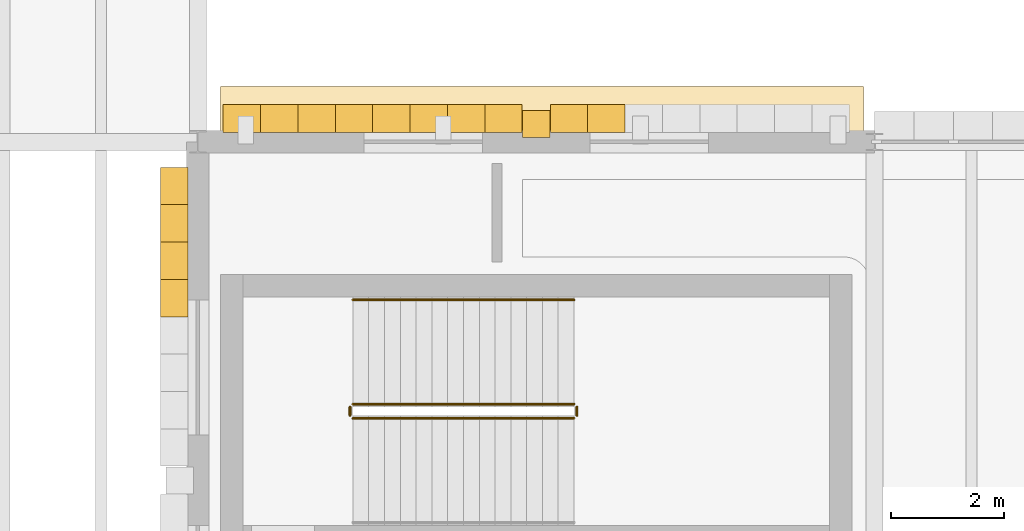
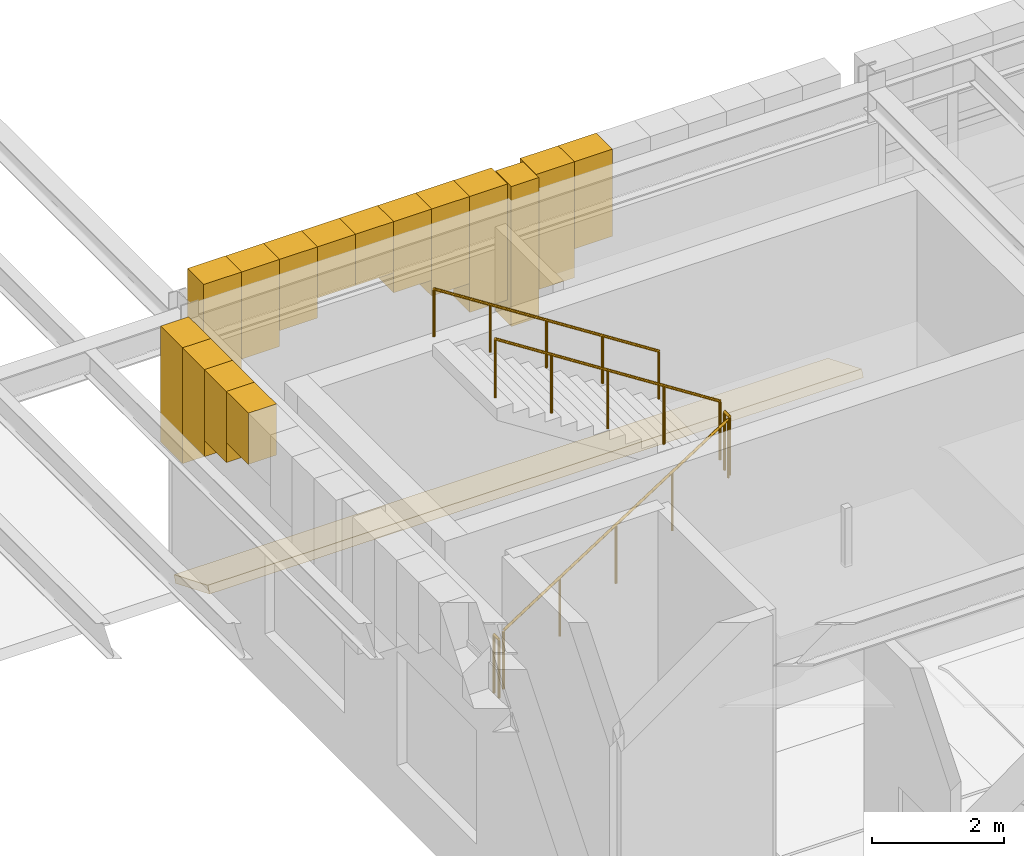
# One storey, part 89 of 100: 16 coverings, 5 railings.
"""IFC4 building model written with IfcOpenShell, lengths in metres."""

from ifc_helpers import new_model, si_unit, direction, frame, origin, origin_2d, place, context, subcontext, project, spatial, polyline, circle, outline, extrude, material, layer, layer_set, type_object, element, save


model = new_model("IFC4")

# Units and contexts
model_context = context("Model", 3, precision=1e-05, world=origin(), true_north=direction((0.0, 1.0)))
body_context = subcontext(model_context, "Body", "Model", "MODEL_VIEW")
ifc_project = project(units=[si_unit("LENGTHUNIT", "METRE"), si_unit("AREAUNIT", "SQUARE_METRE"), si_unit("VOLUMEUNIT", "CUBIC_METRE"), si_unit("PLANEANGLEUNIT", "RADIAN"), si_unit("MASSUNIT", "GRAM", prefix="KILO")], contexts=[model_context])

# Site, building, storey
site_placement = place(None, origin())
site = spatial("IfcSite", under=ifc_project, at=site_placement, CompositionType="ELEMENT")
building_placement = place(site_placement, origin())
building = spatial("IfcBuilding", under=site, at=building_placement, Name="Zlatogorsky Bluff Art Gallery", CompositionType="ELEMENT")
storey_placement = place(building_placement, frame((0.0, 0.0, 5.39990234375)))
storey = spatial("IfcBuildingStorey", under=building, at=storey_placement, Name="L01", CompositionType="ELEMENT", Elevation=5.39990234375)

# Coverings
ifc_material_1 = material(Name="Honed Red Agra-Tone Quartzitic Sandstone", Category="masonry")
ifc_layer = layer(ifc_material_1, 0.1201171875)
ifc_layer_set = layer_set([ifc_layer], Name="Carved Sandstone Cladding CLD-02")
covering_type = type_object("IfcCoveringType", Name="Carved Sandstone Cladding CLD-02", PredefinedType="CLADDING", material=ifc_layer_set)
covering_1_placement = place(storey_placement, frame((0.0, 0.0, 2.780029296875)))
element("IfcCovering", 1, at=covering_1_placement, inside=storey, type_object=covering_type, Name="Mughal blind-arch sandstone pilaster L01.N.10.9", PredefinedType="CLADDING", context=body_context, shape_type="SweptSolid", body=[
    extrude(outline(polyline([(125.760009765625, 108.080078125), (126.239990234375, 108.080078125), (126.239990234375, 108.56005859375), (125.760009765625, 108.56005859375), (125.760009765625, 108.080078125)])), origin(), (0.0, 0.0, 1.0), 2.580078125),
])
covering_2_placement = place(storey_placement, frame((0.0, 0.0, 3.222412109375)))
element("IfcCovering", 2, at=covering_2_placement, inside=storey, type_object=covering_type, Name="Pointed Mughal arch voussoir spandrel WARCH-L01-N-10-09-A.1", PredefinedType="CLADDING", context=body_context, shape_type="SweptSolid", body=[
    extrude(outline(polyline([(120.449951171875, 108.169921875), (121.112548828125, 108.169921875), (121.112548828125, 108.659912109375), (120.449951171875, 108.659912109375), (120.449951171875, 108.169921875)])), origin(), (0.0, 0.0, 1.0), 2.1376953125),
])
covering_3_placement = place(storey_placement, frame((0.0, 0.0, 3.75390625)))
element("IfcCovering", 3, at=covering_3_placement, inside=storey, type_object=covering_type, Name="Pointed Mughal arch voussoir spandrel WARCH-L01-N-10-09-A.2", PredefinedType="CLADDING", context=body_context, shape_type="SweptSolid", body=[
    extrude(outline(polyline([(121.112548828125, 108.169921875), (121.77490234375, 108.169921875), (121.77490234375, 108.659912109375), (121.112548828125, 108.659912109375), (121.112548828125, 108.169921875)])), origin(), (0.0, 0.0, 1.0), 1.606201171875),
])
covering_4_placement = place(storey_placement, frame((0.0, 0.0, 4.046875)))
element("IfcCovering", 4, at=covering_4_placement, inside=storey, type_object=covering_type, Name="Pointed Mughal arch voussoir spandrel WARCH-L01-N-10-09-A.3", PredefinedType="CLADDING", context=body_context, shape_type="SweptSolid", body=[
    extrude(outline(polyline([(121.77490234375, 108.169921875), (122.4375, 108.169921875), (122.4375, 108.659912109375), (121.77490234375, 108.659912109375), (121.77490234375, 108.169921875)])), origin(), (0.0, 0.0, 1.0), 1.313232421875),
])
covering_5_placement = place(storey_placement, frame((0.0, 0.0, 4.41552734375)))
element("IfcCovering", 5, at=covering_5_placement, inside=storey, type_object=covering_type, Name="Pointed Mughal arch voussoir spandrel WARCH-L01-N-10-09-A.4", PredefinedType="CLADDING", context=body_context, shape_type="SweptSolid", body=[
    extrude(outline(polyline([(122.4375, 108.169921875), (123.10009765625, 108.169921875), (123.10009765625, 108.659912109375), (122.4375, 108.659912109375), (122.4375, 108.169921875)])), origin(), (0.0, 0.0, 1.0), 0.944580078125),
])
covering_6_placement = place(storey_placement, frame((0.0, 0.0, 4.41552734375)))
element("IfcCovering", 6, at=covering_6_placement, inside=storey, type_object=covering_type, Name="Pointed Mughal arch voussoir spandrel WARCH-L01-N-10-09-A.5", PredefinedType="CLADDING", context=body_context, shape_type="SweptSolid", body=[
    extrude(outline(polyline([(123.10009765625, 108.169921875), (123.762451171875, 108.169921875), (123.762451171875, 108.659912109375), (123.10009765625, 108.659912109375), (123.10009765625, 108.169921875)])), origin(), (0.0, 0.0, 1.0), 0.944580078125),
])
covering_7_placement = place(storey_placement, frame((0.0, 0.0, 4.046875)))
element("IfcCovering", 7, at=covering_7_placement, inside=storey, type_object=covering_type, Name="Pointed Mughal arch voussoir spandrel WARCH-L01-N-10-09-A.6", PredefinedType="CLADDING", context=body_context, shape_type="SweptSolid", body=[
    extrude(outline(polyline([(123.762451171875, 108.169921875), (124.425048828125, 108.169921875), (124.425048828125, 108.659912109375), (123.762451171875, 108.659912109375), (123.762451171875, 108.169921875)])), origin(), (0.0, 0.0, 1.0), 1.313232421875),
])
covering_8_placement = place(storey_placement, frame((0.0, 0.0, 3.75390625)))
element("IfcCovering", 8, at=covering_8_placement, inside=storey, type_object=covering_type, Name="Pointed Mughal arch voussoir spandrel WARCH-L01-N-10-09-A.7", PredefinedType="CLADDING", context=body_context, shape_type="SweptSolid", body=[
    extrude(outline(polyline([(124.425048828125, 108.169921875), (125.08740234375, 108.169921875), (125.08740234375, 108.659912109375), (124.425048828125, 108.659912109375), (124.425048828125, 108.169921875)])), origin(), (0.0, 0.0, 1.0), 1.606201171875),
])
covering_9_placement = place(storey_placement, frame((0.0, 0.0, 3.222412109375)))
element("IfcCovering", 9, at=covering_9_placement, inside=storey, type_object=covering_type, Name="Pointed Mughal arch voussoir spandrel WARCH-L01-N-10-09-A.8", PredefinedType="CLADDING", context=body_context, shape_type="SweptSolid", body=[
    extrude(outline(polyline([(125.08740234375, 108.169921875), (125.75, 108.169921875), (125.75, 108.659912109375), (125.08740234375, 108.659912109375), (125.08740234375, 108.169921875)])), origin(), (0.0, 0.0, 1.0), 2.1376953125),
])
covering_10_placement = place(storey_placement, frame((0.0, 0.0, 3.222412109375)))
element("IfcCovering", 10, at=covering_10_placement, inside=storey, type_object=covering_type, Name="Pointed Mughal arch voussoir spandrel WARCH-L01-N-10-09-B.1", PredefinedType="CLADDING", context=body_context, shape_type="SweptSolid", body=[
    extrude(outline(polyline([(126.25, 108.169921875), (126.91259765625, 108.169921875), (126.91259765625, 108.659912109375), (126.25, 108.659912109375), (126.25, 108.169921875)])), origin(), (0.0, 0.0, 1.0), 2.1376953125),
])
covering_11_placement = place(storey_placement, frame((0.0, 0.0, 3.75390625)))
element("IfcCovering", 11, at=covering_11_placement, inside=storey, type_object=covering_type, Name="Pointed Mughal arch voussoir spandrel WARCH-L01-N-10-09-B.2", PredefinedType="CLADDING", context=body_context, shape_type="SweptSolid", body=[
    extrude(outline(polyline([(126.91259765625, 108.169921875), (127.574951171875, 108.169921875), (127.574951171875, 108.659912109375), (126.91259765625, 108.659912109375), (126.91259765625, 108.169921875)])), origin(), (0.0, 0.0, 1.0), 1.606201171875),
])
covering_12_placement = place(storey_placement, frame((0.0, 0.0, 4.41552734375)))
element("IfcCovering", 12, at=covering_12_placement, inside=storey, type_object=covering_type, Name="Pointed Mughal arch voussoir spandrel WARCH-L01-W-10-09-B.5", PredefinedType="CLADDING", context=body_context, shape_type="SweptSolid", body=[
    extrude(outline(polyline([(119.340087890625, 104.89990234375), (119.340087890625, 105.5625), (119.830078125, 105.5625), (119.830078125, 104.89990234375), (119.340087890625, 104.89990234375)])), origin(), (0.0, 0.0, 1.0), 0.944580078125),
])
covering_13_placement = place(storey_placement, frame((0.0, 0.0, 4.046875)))
element("IfcCovering", 13, at=covering_13_placement, inside=storey, type_object=covering_type, Name="Pointed Mughal arch voussoir spandrel WARCH-L01-W-10-09-B.6", PredefinedType="CLADDING", context=body_context, shape_type="SweptSolid", body=[
    extrude(outline(polyline([(119.340087890625, 105.5625), (119.340087890625, 106.22509765625), (119.830078125, 106.22509765625), (119.830078125, 105.5625), (119.340087890625, 105.5625)])), origin(), (0.0, 0.0, 1.0), 1.313232421875),
])
covering_14_placement = place(storey_placement, frame((0.0, 0.0, 3.75390625)))
element("IfcCovering", 14, at=covering_14_placement, inside=storey, type_object=covering_type, Name="Pointed Mughal arch voussoir spandrel WARCH-L01-W-10-09-B.7", PredefinedType="CLADDING", context=body_context, shape_type="SweptSolid", body=[
    extrude(outline(polyline([(119.340087890625, 106.22509765625), (119.340087890625, 106.887451171875), (119.830078125, 106.887451171875), (119.830078125, 106.22509765625), (119.340087890625, 106.22509765625)])), origin(), (0.0, 0.0, 1.0), 1.606201171875),
])
covering_15_placement = place(storey_placement, frame((0.0, 0.0, 3.222412109375)))
element("IfcCovering", 15, at=covering_15_placement, inside=storey, type_object=covering_type, Name="Pointed Mughal arch voussoir spandrel WARCH-L01-W-10-09-B.8", PredefinedType="CLADDING", context=body_context, shape_type="SweptSolid", body=[
    extrude(outline(polyline([(119.340087890625, 106.887451171875), (119.340087890625, 107.550048828125), (119.830078125, 107.550048828125), (119.830078125, 106.887451171875), (119.340087890625, 106.887451171875)])), origin(), (0.0, 0.0, 1.0), 2.1376953125),
])
covering_16_placement = place(storey_placement, frame((120.39990234375, 107.9599609375, -0.039794921875), z_axis=(0.0, 0.380872241927, 0.924627673893), x_axis=(1.0, 0.0, 0.0)))
element("IfcCovering", 16, at=covering_16_placement, inside=storey, type_object=covering_type, Name="Projecting sloped Mughal chhajja stone eave CHJ-NE-N-L01A", PredefinedType="CLADDING", context=body_context, shape_type="SweptSolid", body=[
    extrude(outline(polyline([(0.0, 0.0), (11.400146484375, 0.0), (11.400146484375, 1.1031678588581422), (0.0, 1.1031678588581422), (0.0, 0.0)])), origin(), (0.0, 0.0, -1.0), 0.139892578125),
])

# Railings
ifc_material_2 = material(Name="Architectural Bronze and Laminated Glass", Category="glass")
railing_type_1 = type_object("IfcRailingType", Name="Gallery Guard Rail 1100mm", PredefinedType="GUARDRAIL", material=ifc_material_2)
railing_1_placement = place(storey_placement, frame((122.75, 103.10009765625, 0.18017578125)))
element("IfcRailing", 17, at=railing_1_placement, inside=storey, type_object=railing_type_1, Name="L01 ST-03 stair guard 1", PredefinedType="GUARDRAIL", context=body_context, shape_type="SweptSolid", body=[
    extrude(circle(Radius=0.02392578125, at=origin_2d()), frame((0.0, 0.0, 1.076171875), z_axis=(0.841171666519, 0.0, 0.540768182723), x_axis=(0.0, 1.0, 0.0)), (0.0, 0.0, 1.0), 4.66015625),
    extrude(circle(Radius=0.02099609375, at=origin_2d()), origin(), (0.0, 0.0, 1.0), 1.052001953125),
    extrude(circle(Radius=0.02099609375, at=origin_2d()), frame((0.97998046875, 0.0, 0.6298828125)), (0.0, 0.0, 1.0), 1.052001953125),
    extrude(circle(Radius=0.02099609375, at=origin_2d()), frame((1.9599609375, 0.0, 1.260009765625)), (0.0, 0.0, 1.0), 1.052001953125),
    extrude(circle(Radius=0.02099609375, at=origin_2d()), frame((2.93994140625, 0.0, 1.89013671875)), (0.0, 0.0, 1.0), 1.052001953125),
    extrude(circle(Radius=0.02099609375, at=origin_2d()), frame((3.919921875, 0.0, 2.52001953125)), (0.0, 0.0, 1.0), 1.052001953125),
])
railing_2_placement = place(storey_placement, frame((126.719970703125, 103.14990234375, 2.7001953125)))
element("IfcRailing", 18, at=railing_2_placement, inside=storey, type_object=railing_type_1, Name="L01 ST-03 stair guard 2", PredefinedType="GUARDRAIL", context=body_context, shape_type="SweptSolid", body=[
    extrude(circle(Radius=0.02392578125, at=origin_2d()), frame((0.0, 0.0, 1.076171875), z_axis=(0.0, 1.0, 0.0), x_axis=(-1.0, 0.0, 0.0)), (0.0, 0.0, 1.0), 0.150146484375),
    extrude(circle(Radius=0.02099609375, at=origin_2d()), origin(), (0.0, 0.0, 1.0), 1.052001953125),
    extrude(circle(Radius=0.02099609375, at=origin_2d()), frame((0.0, 0.150146484375, 0.0)), (0.0, 0.0, 1.0), 1.052001953125),
])
railing_3_placement = place(storey_placement, frame((126.669921875, 103.35009765625, 2.880126953125)))
element("IfcRailing", 19, at=railing_3_placement, inside=storey, type_object=railing_type_1, Name="L01 ST-03 stair guard 3", PredefinedType="GUARDRAIL", context=body_context, shape_type="SweptSolid", body=[
    extrude(circle(Radius=0.02392578125, at=origin_2d()), frame((0.0, 0.0, 1.076171875), z_axis=(-0.841171666519, 0.0, 0.540768182723), x_axis=(0.0, -1.0, 0.0)), (0.0, 0.0, 1.0), 4.66015625),
    extrude(circle(Radius=0.02099609375, at=origin_2d()), origin(), (0.0, 0.0, 1.0), 1.052001953125),
    extrude(circle(Radius=0.02099609375, at=origin_2d()), frame((-0.97998046875, 0.0, 0.6298828125)), (0.0, 0.0, 1.0), 1.052001953125),
    extrude(circle(Radius=0.02099609375, at=origin_2d()), frame((-1.9599609375, 0.0, 1.260009765625)), (0.0, 0.0, 1.0), 1.052001953125),
    extrude(circle(Radius=0.02099609375, at=origin_2d()), frame((-2.93994140625, 0.0, 1.89013671875)), (0.0, 0.0, 1.0), 1.052001953125),
    extrude(circle(Radius=0.02099609375, at=origin_2d()), frame((-3.919921875, 0.0, 2.52001953125)), (0.0, 0.0, 1.0), 1.052001953125),
])
railing_4_placement = place(storey_placement, frame((122.699951171875, 103.14990234375, 0.0)))
element("IfcRailing", 20, at=railing_4_placement, inside=storey, type_object=railing_type_1, Name="L01 ST-03 stair guard 4", PredefinedType="GUARDRAIL", context=body_context, shape_type="SweptSolid", body=[
    extrude(circle(Radius=0.02392578125, at=origin_2d()), frame((0.0, 0.0, 1.076171875), z_axis=(0.0, 1.0, 0.0), x_axis=(-1.0, 0.0, 0.0)), (0.0, 0.0, 1.0), 0.150146484375),
    extrude(circle(Radius=0.02099609375, at=origin_2d()), origin(), (0.0, 0.0, 1.0), 1.052001953125),
    extrude(circle(Radius=0.02099609375, at=origin_2d()), frame((0.0, 0.150146484375, 0.0)), (0.0, 0.0, 1.0), 1.052001953125),
])
ifc_material_3 = material(Name="Brushed Stainless Steel", Category="steel")
railing_type_2 = type_object("IfcRailingType", Name="Stair Pitch Handrail 900mm", PredefinedType="HANDRAIL", material=ifc_material_3)
railing_5_placement = place(storey_placement, frame((126.669921875, 105.199951171875, 2.880126953125)))
element("IfcRailing", 21, at=railing_5_placement, inside=storey, type_object=railing_type_2, Name="L01 ST-03 stair handrail 2", PredefinedType="HANDRAIL", context=body_context, shape_type="SweptSolid", body=[
    extrude(circle(Radius=0.02392578125, at=origin_2d()), frame((0.0, 0.0, 0.8759765625), z_axis=(-0.841171666519, 0.0, 0.540768182723), x_axis=(0.0, -1.0, 0.0)), (0.0, 0.0, 1.0), 4.66015625),
    extrude(circle(Radius=0.02099609375, at=origin_2d()), origin(), (0.0, 0.0, 1.0), 0.851806640625),
    extrude(circle(Radius=0.02099609375, at=origin_2d()), frame((-0.97998046875, 0.0, 0.6298828125)), (0.0, 0.0, 1.0), 0.851806640625),
    extrude(circle(Radius=0.02099609375, at=origin_2d()), frame((-1.9599609375, 0.0, 1.260009765625)), (0.0, 0.0, 1.0), 0.851806640625),
    extrude(circle(Radius=0.02099609375, at=origin_2d()), frame((-2.93994140625, 0.0, 1.89013671875)), (0.0, 0.0, 1.0), 0.851806640625),
    extrude(circle(Radius=0.02099609375, at=origin_2d()), frame((-3.919921875, 0.0, 2.52001953125)), (0.0, 0.0, 1.0), 0.851806640625),
])

save(model, "model.ifc")
